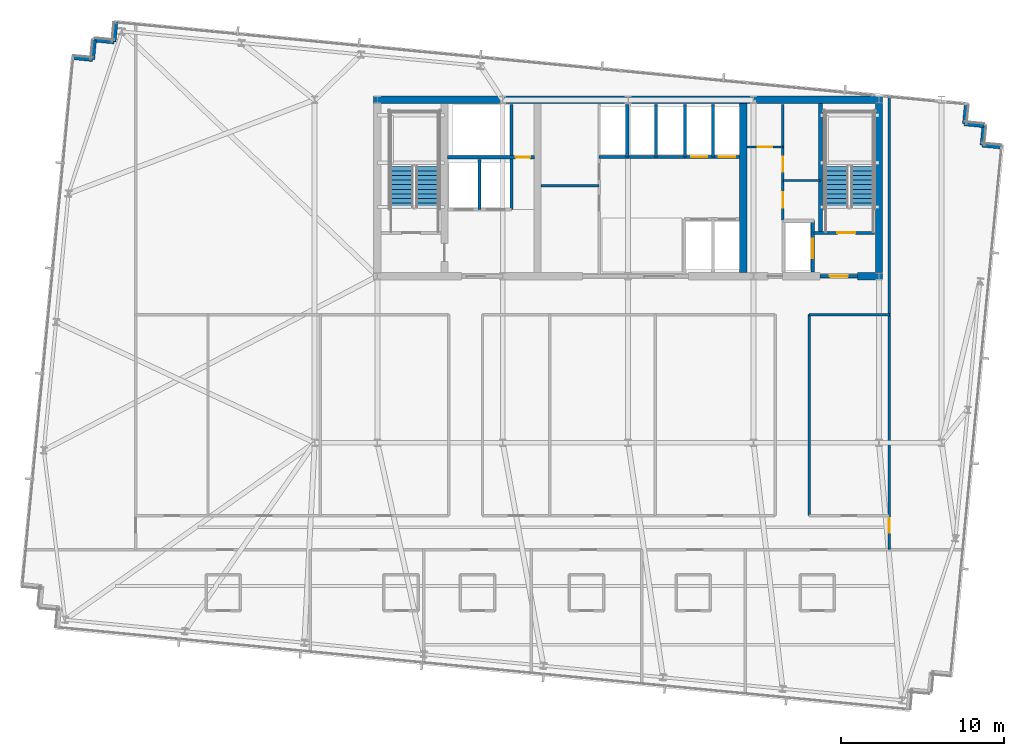
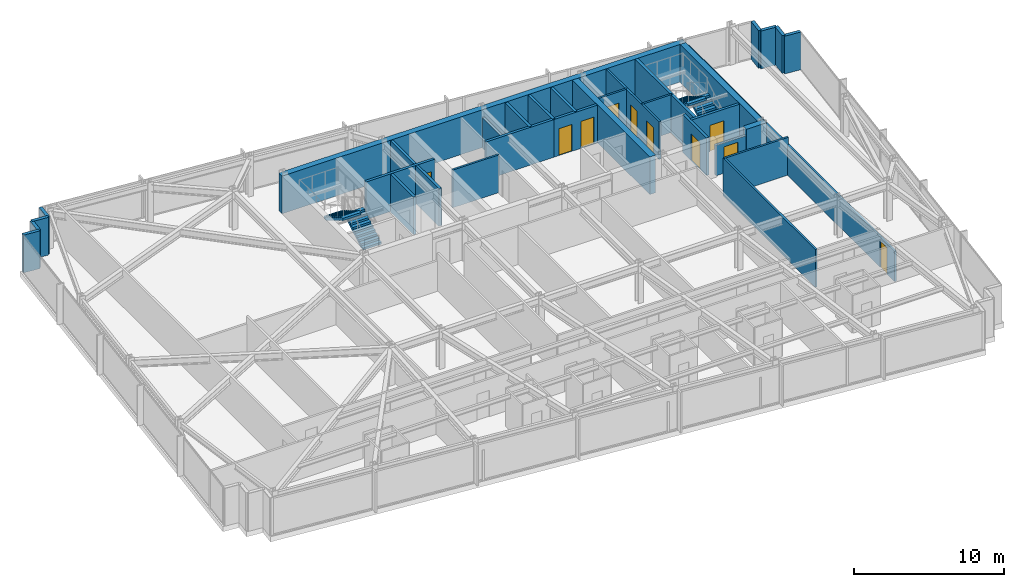
# One storey, part 31 of 37: 32 walls, 10 doors, 4 stair flights, 10 openings, 2 elements without a shape of their own.
"""IFC4 building model written with IfcOpenShell, lengths in metres."""

from ifc_helpers import new_model, si_unit, direction, frame, frame_2d, origin, place, context, subcontext, project, spatial, polyline, rectangle, outline, extrude, material, layer, layer_set, type_object, element, fill, aggregate, save


model = new_model("IFC4")

# Units and contexts
model_context = context("Model", 3, precision=1e-05, world=origin(), true_north=direction((0.0, 1.0)))
body_context = subcontext(model_context, "Body", "Model", "MODEL_VIEW")
ifc_project = project(units=[si_unit("LENGTHUNIT", "METRE"), si_unit("AREAUNIT", "SQUARE_METRE"), si_unit("VOLUMEUNIT", "CUBIC_METRE"), si_unit("PLANEANGLEUNIT", "RADIAN"), si_unit("MASSUNIT", "GRAM", prefix="KILO")], contexts=[model_context])

# Site, building, storey
site_placement = place(None, origin())
site = spatial("IfcSite", under=ifc_project, at=site_placement, CompositionType="ELEMENT")
building_placement = place(site_placement, origin())
building = spatial("IfcBuilding", under=site, at=building_placement, Name="Yelkora Congress Tower", CompositionType="ELEMENT")
storey_placement = place(building_placement, frame((0.0, 0.0, 149.0)))
storey = spatial("IfcBuildingStorey", under=building, at=storey_placement, Name="L40", CompositionType="ELEMENT", Elevation=149.0)

# Walls
ifc_material_1 = material(Name="Concrete C50/60", Category="concrete")
ifc_layer_1 = layer(ifc_material_1, 0.219970703125)
ifc_layer_set_1 = layer_set([ifc_layer_1], Name="Concrete C50/60")
wall_type_1 = type_object("IfcWallType", Name="WALL-CORE-INT-220", PredefinedType="SHEAR", material=ifc_layer_set_1)
wall_1_placement = place(storey_placement, frame((50.179931640625, 38.050048828125, 0.0), z_axis=(0.0, 0.0, 1.0), x_axis=(0.0, 1.0, 0.0)))
element("IfcWall", 1, at=wall_1_placement, inside=storey, type_object=wall_type_1, Name="L40 ST02 West Stair Shear Wall", PredefinedType="SHEAR", context=body_context, shape_type="SweptSolid", body=[
    extrude(rectangle(XDim=7.925048828125, YDim=0.219970703125, at=frame_2d((3.96240234375, 0.0))), origin(), (0.0, 0.0, 1.0), 3.080078125),
])
ifc_material_2 = material(Name="Concrete C60/75", Category="concrete")
ifc_layer_2 = layer(ifc_material_2, 0.449951171875)
ifc_layer_set_2 = layer_set([ifc_layer_2], Name="Concrete C60/75")
wall_type_2 = type_object("IfcWallType", Name="WALL-CORE-INT-450", PredefinedType="SHEAR", material=ifc_layer_set_2)
wall_2_placement = place(storey_placement, frame((22.81494140625, 46.199951171875, 0.0), z_axis=(0.0, 0.0, 1.0), x_axis=(1.0, 0.0, 0.0)))
element("IfcWall", 2, at=wall_2_placement, inside=storey, type_object=wall_type_2, Name="L40 Rear Core North Shear Wall", PredefinedType="SHEAR", context=body_context, shape_type="SweptSolid", body=[
    extrude(rectangle(XDim=31.170166015625, YDim=0.449951171875, at=frame_2d((15.5849609375, 0.0))), origin(), (0.0, 0.0, 1.0), 3.080078125),
])
wall_3_placement = place(storey_placement, frame((52.449951171875, 35.39990234375, 0.0), z_axis=(0.0, 0.0, 1.0), x_axis=(1.0, 0.0, 0.0)))
element("IfcWall", 3, at=wall_3_placement, inside=storey, type_object=wall_type_2, Name="L40 Rear Core South-East Shear Wall B", PredefinedType="SHEAR", context=body_context, shape_type="SweptSolid", body=[
    extrude(rectangle(XDim=1.53515625, YDim=0.449951171875, at=frame_2d((0.767578125, 0.0))), origin(), (0.0, 0.0, 1.0), 3.080078125),
])
for number, where, z_axis, x_axis, name in (
    (4, (45.449951171875, 35.625, 0.0), (0.0, 0.0, 1.0), (0.0, 1.0, 0.0), "L40 Rear Core Cross Shear Wall C3"),
    (5, (53.760009765625, 35.625, 0.0), (0.0, 0.0, 1.0), (0.0, 1.0, 0.0), "L40 Rear Core Cross Shear Wall E"),
):
    element("IfcWall", number, at=place(storey_placement, frame(where, z_axis=z_axis, x_axis=x_axis)), inside=storey, type_object=wall_type_2, Name=name, PredefinedType="SHEAR", context=body_context, shape_type="SweptSolid", body=[
        extrude(rectangle(XDim=10.35009765625, YDim=0.449951171875, at=frame_2d((5.175048828125, 0.0))), origin(), (0.0, 0.0, 1.0), 3.080078125),
    ])
ifc_material_3 = material(Name="Concrete C40/50", Category="concrete")
ifc_layer_3 = layer(ifc_material_3, 0.239990234375)
ifc_layer_set_3 = layer_set([ifc_layer_3], Name="Concrete C40/50")
wall_type_3 = type_object("IfcWallType", Name="WALL-EXT-LIMESTONE-240", PredefinedType="SOLIDWALL", material=ifc_layer_set_3)
wall_4_placement = place(storey_placement, frame((4.41064453125, 48.778564453125, 0.0), z_axis=(0.0, 0.0, 1.0), x_axis=(0.995397091755, -0.095836473879, 0.0)))
element("IfcWall", 6, at=wall_4_placement, inside=storey, type_object=wall_type_3, Name="L40 Serrated Corner Limestone Pier 6", PredefinedType="SOLIDWALL", context=body_context, shape_type="SweptSolid", body=[
    extrude(rectangle(XDim=1.199951171875, YDim=0.239990234375, at=frame_2d((0.60009765625, 0.0))), origin(), (0.0, 0.0, 1.0), 3.080078125),
])
wall_5_placement = place(storey_placement, frame((5.60498046875, 48.66357421875, 0.0), z_axis=(0.0, 0.0, 1.0), x_axis=(0.096018626938, 0.995379537303, 0.0)))
element("IfcWall", 7, at=wall_5_placement, inside=storey, type_object=wall_type_3, Name="L40 Serrated Corner Limestone Pier 7", PredefinedType="SOLIDWALL", context=body_context, shape_type="SweptSolid", body=[
    extrude(rectangle(XDim=1.2001953125, YDim=0.239990234375, at=frame_2d((0.60009765625, 0.0))), origin(), (0.0, 0.0, 1.0), 3.080078125),
])
for number, where, z_axis, x_axis, name in (
    (8, (5.72021484375, 49.858154296875, 0.0), (0.0, 0.0, 1.0), (0.995397091755, -0.095836473879, 0.0), "L40 Serrated Corner Limestone Pier 8"),
    (9, (6.91455078125, 49.7431640625, 0.0), (0.0, 0.0, 1.0), (0.095836473879, 0.995397091755, 0.0), "L40 Serrated Corner Limestone Pier 9"),
):
    element("IfcWall", number, at=place(storey_placement, frame(where, z_axis=z_axis, x_axis=x_axis)), inside=storey, type_object=wall_type_3, Name=name, PredefinedType="SOLIDWALL", context=body_context, shape_type="SweptSolid", body=[
        extrude(rectangle(XDim=1.199951171875, YDim=0.239990234375, at=frame_2d((0.60009765625, 0.0))), origin(), (0.0, 0.0, 1.0), 3.080078125),
    ])
for number, where, z_axis, x_axis, name in (
    (10, (59.108642578125, 45.923095703125, 0.0), (0.0, 0.0, 1.0), (-0.095817067274, -0.995398960025, 0.0), "L40 Serrated Corner Limestone Pier 11"),
    (11, (58.99365234375, 44.728515625, 0.0), (0.0, 0.0, 1.0), (0.995398960025, -0.095817067274, 0.0), "L40 Serrated Corner Limestone Pier 12"),
    (12, (60.188232421875, 44.613525390625, 0.0), (0.0, 0.0, 1.0), (-0.096018626938, -0.995379537303, 0.0), "L40 Serrated Corner Limestone Pier 13"),
    (13, (60.072998046875, 43.4189453125, 0.0), (0.0, 0.0, 1.0), (0.995398960025, -0.095817067274, 0.0), "L40 Serrated Corner Limestone Pier 14"),
):
    element("IfcWall", number, at=place(storey_placement, frame(where, z_axis=z_axis, x_axis=x_axis)), inside=storey, type_object=wall_type_3, Name=name, PredefinedType="SOLIDWALL", context=body_context, shape_type="SweptSolid", body=[
        extrude(rectangle(XDim=1.2001953125, YDim=0.239990234375, at=frame_2d((0.60009765625, 0.0))), origin(), (0.0, 0.0, 1.0), 3.080078125),
    ])

# Wall, opening, door
ifc_material_4 = material(Name="Acoustic metal-stud gypsum partition", Category="gypsum")
ifc_layer_4 = layer(ifc_material_4, 0.14990234375)
ifc_layer_set_4 = layer_set([ifc_layer_4], Name="Acoustic metal-stud gypsum partition")
wall_type_4 = type_object("IfcWallType", Name="WALL-INT-150-NR", PredefinedType="PARTITIONING", material=ifc_layer_set_4)
wall_6_placement = place(storey_placement, frame((45.679931640625, 43.31005859375, 0.0), z_axis=(0.0, 0.0, 1.0), x_axis=(1.0, 0.0, 0.0)))
wall_6 = element("IfcWall", 14, at=wall_6_placement, inside=storey, type_object=wall_type_4, Name="L40 Partition Wall 24", PredefinedType="PARTITIONING", context=body_context, shape_type="SweptSolid", body=[
    extrude(rectangle(XDim=2.199951171875, YDim=0.14990234375, at=frame_2d((1.10009765625, 0.0))), origin(), (0.0, 0.0, 1.0), 3.080078125),
])
opening_1_placement = place(wall_6_placement, frame((0.64990234375, 0.0, 0.0)))
opening_1 = element("IfcOpeningElement", 15, at=opening_1_placement, cuts=wall_6, Name="Opening DR-090N", PredefinedType="OPENING", context=body_context, shape_type="SweptSolid", body=[
    extrude(rectangle(XDim=0.89990234375, YDim=2.14990234375, at=frame_2d((0.449951171875, 1.074951171875))), frame((0.0, 0.0849609375, 0.0), z_axis=(0.0, -1.0, 0.0), x_axis=(1.0, 0.0, 0.0)), (0.0, 0.0, 1.0), 0.169921875),
])
ifc_material_5 = material(Name="Moisture-resistant laminate door leaf", Category="wood")
door_type_1 = type_object("IfcDoorType", Name="DOOR-INT-900", OperationType="NOTDEFINED", PredefinedType="DOOR", material=ifc_material_5)
door_1_placement = place(opening_1_placement, origin())
door_1 = element("IfcDoor", 16, at=door_1_placement, inside=storey, type_object=door_type_1, Name="L40 Male WC Door", OperationType="SINGLE_SWING_RIGHT", OverallHeight=2.14990234375, OverallWidth=0.89990234375, PredefinedType="DOOR", context=body_context, shape_type="SweptSolid", body=[
    extrude(rectangle(XDim=0.89990234375, YDim=2.14990234375, at=frame_2d((0.449951171875, 1.074951171875))), frame((0.0, 0.02490234375, 0.0), z_axis=(0.0, -1.0, 0.0), x_axis=(1.0, 0.0, 0.0)), (0.0, 0.0, 1.0), 0.050048828125),
])
fill(opening_1, door_1)

# Wall
wall_7_placement = place(storey_placement, frame((47.8798828125, 41.260009765625, 0.0), z_axis=(0.0, 0.0, 1.0), x_axis=(1.0, 0.0, 0.0)))
element("IfcWall", 17, at=wall_7_placement, inside=storey, type_object=wall_type_4, Name="L40 Partition Wall 25", PredefinedType="PARTITIONING", context=body_context, shape_type="SweptSolid", body=[
    extrude(rectangle(XDim=2.300048828125, YDim=0.14990234375, at=frame_2d((1.14990234375, 0.0))), origin(), (0.0, 0.0, 1.0), 3.080078125),
])

# Wall, openings, doors
wall_8_placement = place(storey_placement, frame((47.8798828125, 38.85009765625, 0.0), z_axis=(0.0, 0.0, 1.0), x_axis=(0.0, 1.0, 0.0)))
wall_8 = element("IfcWall", 18, at=wall_8_placement, inside=storey, type_object=wall_type_4, Name="L40 Partition Wall 26", PredefinedType="PARTITIONING", context=body_context, shape_type="SweptSolid", body=[
    extrude(rectangle(XDim=7.06982421875, YDim=0.14990234375, at=frame_2d((3.534912109375, 0.0))), origin(), (0.0, 0.0, 1.0), 3.080078125),
])
opening_2_placement = place(wall_8_placement, frame((0.75, 0.0, 0.0)))
opening_2 = element("IfcOpeningElement", 19, at=opening_2_placement, cuts=wall_8, Name="Opening DR-095N", PredefinedType="OPENING", context=body_context, shape_type="SweptSolid", body=[
    extrude(rectangle(XDim=0.949951171875, YDim=2.14990234375, at=frame_2d((0.47509765625, 1.074951171875))), frame((0.0, 0.0849609375, 0.0), z_axis=(0.0, -1.0, 0.0), x_axis=(1.0, 0.0, 0.0)), (0.0, 0.0, 1.0), 0.169921875),
])
opening_3_placement = place(wall_8_placement, frame((2.949951171875, 0.0, 0.0)))
opening_3 = element("IfcOpeningElement", 20, at=opening_3_placement, cuts=wall_8, Name="Opening DR-090N", PredefinedType="OPENING", context=body_context, shape_type="SweptSolid", body=[
    extrude(rectangle(XDim=0.89990234375, YDim=2.14990234375, at=frame_2d((0.449951171875, 1.074951171875))), frame((0.0, 0.0849609375, 0.0), z_axis=(0.0, -1.0, 0.0), x_axis=(1.0, 0.0, 0.0)), (0.0, 0.0, 1.0), 0.169921875),
])
door_2_placement = place(opening_3_placement, origin())
door_2 = element("IfcDoor", 21, at=door_2_placement, inside=storey, type_object=door_type_1, Name="L40 Female WC Door", OperationType="SINGLE_SWING_RIGHT", OverallHeight=2.14990234375, OverallWidth=0.89990234375, PredefinedType="DOOR", context=body_context, shape_type="SweptSolid", body=[
    extrude(rectangle(XDim=0.89990234375, YDim=2.14990234375, at=frame_2d((0.449951171875, 1.074951171875))), frame((0.0, 0.02490234375, 0.0), z_axis=(0.0, -1.0, 0.0), x_axis=(1.0, 0.0, 0.0)), (0.0, 0.0, 1.0), 0.050048828125),
])
fill(opening_3, door_2)
ifc_material_6 = material(Name="Acoustic laminated timber office door", Category="wood")
door_type_2 = type_object("IfcDoorType", Name="DOOR-INT-950", OperationType="NOTDEFINED", PredefinedType="DOOR", material=ifc_material_6)
door_3_placement = place(opening_2_placement, origin())
door_3 = element("IfcDoor", 22, at=door_3_placement, inside=storey, type_object=door_type_2, Name="L40 Accessible WC Door", OperationType="SINGLE_SWING_LEFT", OverallHeight=2.14990234375, OverallWidth=0.949951171875, PredefinedType="DOOR", context=body_context, shape_type="SweptSolid", body=[
    extrude(rectangle(XDim=0.949951171875, YDim=2.14990234375, at=frame_2d((0.47509765625, 1.074951171875))), frame((0.0, 0.02490234375, 0.0), z_axis=(0.0, -1.0, 0.0), x_axis=(1.0, 0.0, 0.0)), (0.0, 0.0, 1.0), 0.050048828125),
])
fill(opening_2, door_3)

# Wall, opening, door
wall_9_placement = place(storey_placement, frame((54.39990234375, 18.64990234375, 0.0), z_axis=(0.0, 0.0, 1.0), x_axis=(0.0, 1.0, 0.0)))
wall_9 = element("IfcWall", 23, at=wall_9_placement, inside=storey, type_object=wall_type_4, Name="L40 Partition Wall 58", PredefinedType="PARTITIONING", context=body_context, shape_type="SweptSolid", body=[
    extrude(rectangle(XDim=27.78662109375, YDim=0.14990234375, at=frame_2d((13.893310546875, 0.0))), origin(), (0.0, 0.0, 1.0), 2.47509765625),
])
opening_4_placement = place(wall_9_placement, frame((1.030029296875, 0.0, 0.0)))
opening_4 = element("IfcOpeningElement", 24, at=opening_4_placement, cuts=wall_9, Name="Opening DR-090N", PredefinedType="OPENING", context=body_context, shape_type="SweptSolid", body=[
    extrude(rectangle(XDim=0.89990234375, YDim=2.14990234375, at=frame_2d((0.449951171875, 1.074951171875))), frame((0.0, 0.0849609375, 0.0), z_axis=(0.0, -1.0, 0.0), x_axis=(1.0, 0.0, 0.0)), (0.0, 0.0, 1.0), 0.169921875),
])
door_4_placement = place(opening_4_placement, origin())
door_4 = element("IfcDoor", 25, at=door_4_placement, inside=storey, type_object=door_type_1, Name="L40 E Wing Door", OperationType="SINGLE_SWING_RIGHT", OverallHeight=2.14990234375, OverallWidth=0.89990234375, PredefinedType="DOOR", context=body_context, shape_type="SweptSolid", body=[
    extrude(rectangle(XDim=0.89990234375, YDim=2.14990234375, at=frame_2d((0.449951171875, 1.074951171875))), frame((0.0, 0.02490234375, 0.0), z_axis=(0.0, -1.0, 0.0), x_axis=(1.0, 0.0, 0.0)), (0.0, 0.0, 1.0), 0.050048828125),
])
fill(opening_4, door_4)

# Walls
wall_10_placement = place(storey_placement, frame((49.47998046875, 20.72998046875, 0.0), z_axis=(0.0, 0.0, 1.0), x_axis=(0.0, 1.0, 0.0)))
element("IfcWall", 26, at=wall_10_placement, inside=storey, type_object=wall_type_4, Name="L40 Partition Wall 62", PredefinedType="PARTITIONING", context=body_context, shape_type="SweptSolid", body=[
    extrude(rectangle(XDim=12.320068359375, YDim=0.14990234375, at=frame_2d((6.16015625, 0.0))), origin(), (0.0, 0.0, 1.0), 3.080078125),
])
wall_11_placement = place(storey_placement, frame((49.47998046875, 33.050048828125, 0.0), z_axis=(0.0, 0.0, 1.0), x_axis=(1.0, 0.0, 0.0)))
element("IfcWall", 27, at=wall_11_placement, inside=storey, type_object=wall_type_4, Name="L40 Partition Wall 65", PredefinedType="PARTITIONING", context=body_context, shape_type="SweptSolid", body=[
    extrude(rectangle(XDim=4.919921875, YDim=0.14990234375, at=frame_2d((2.4599609375, 0.0))), origin(), (0.0, 0.0, 1.0), 3.080078125),
])
ifc_material_7 = material(Name="Twin-stud fire-rated gypsum partition", Category="gypsum")
ifc_layer_5 = layer(ifc_material_7, 0.14990234375)
ifc_layer_set_5 = layer_set([ifc_layer_5], Name="Twin-stud fire-rated gypsum partition")
wall_type_5 = type_object("IfcWallType", Name="WALL-INT-150-R60", PredefinedType="PARTITIONING", material=ifc_layer_set_5)
wall_12_placement = place(storey_placement, frame((33.050048828125, 40.949951171875, 0.0), z_axis=(0.0, 0.0, 1.0), x_axis=(1.0, 0.0, 0.0)))
element("IfcWall", 28, at=wall_12_placement, inside=storey, type_object=wall_type_5, Name="L40 Partition Wall 11", PredefinedType="PARTITIONING", context=body_context, shape_type="SweptSolid", body=[
    extrude(rectangle(XDim=3.570068359375, YDim=0.14990234375, at=frame_2d((1.78515625, 0.0))), origin(), (0.0, 0.0, 1.0), 3.080078125),
])
ifc_material_8 = material(Name="Autoclaved aerated concrete blockwork", Category="masonry")
ifc_layer_6 = layer(ifc_material_8, 0.199951171875)
ifc_layer_set_6 = layer_set([ifc_layer_6], Name="Autoclaved aerated concrete blockwork")
wall_type_6 = type_object("IfcWallType", Name="WALL-INT-200-R120", PredefinedType="PARTITIONING", material=ifc_layer_set_6)
wall_13_placement = place(storey_placement, frame((29.300048828125, 39.47998046875, 0.0), z_axis=(0.0, 0.0, 1.0), x_axis=(0.0, 1.0, 0.0)))
element("IfcWall", 29, at=wall_13_placement, inside=storey, type_object=wall_type_6, Name="L40 Partition Wall 4", PredefinedType="PARTITIONING", context=body_context, shape_type="SweptSolid", body=[
    extrude(rectangle(XDim=3.070068359375, YDim=0.199951171875, at=frame_2d((1.53515625, 0.0))), origin(), (0.0, 0.0, 1.0), 3.080078125),
])
wall_14_placement = place(storey_placement, frame((31.260009765625, 39.47998046875, 0.0), z_axis=(0.0, 0.0, 1.0), x_axis=(0.0, 1.0, 0.0)))
element("IfcWall", 30, at=wall_14_placement, inside=storey, type_object=wall_type_6, Name="L40 Partition Wall 5", PredefinedType="PARTITIONING", context=body_context, shape_type="SweptSolid", body=[
    extrude(rectangle(XDim=6.43994140625, YDim=0.199951171875, at=frame_2d((3.219970703125, 0.0))), origin(), (0.0, 0.0, 1.0), 3.080078125),
])

# Wall, opening, door
wall_15_placement = place(storey_placement, frame((27.320068359375, 42.679931640625, 0.0), z_axis=(0.0, 0.0, 1.0), x_axis=(1.0, 0.0, 0.0)))
wall_15 = element("IfcWall", 31, at=wall_15_placement, inside=storey, type_object=wall_type_6, Name="L40 Smoke Riser South Wall", PredefinedType="PARTITIONING", context=body_context, shape_type="SweptSolid", body=[
    extrude(rectangle(XDim=5.329833984375, YDim=0.199951171875, at=frame_2d((2.6650390625, 0.0))), origin(), (0.0, 0.0, 1.0), 3.080078125),
])
opening_5_placement = place(wall_15_placement, frame((4.179931640625, 0.0, 0.0)))
opening_5 = element("IfcOpeningElement", 32, at=opening_5_placement, cuts=wall_15, Name="Opening DR-090F6", PredefinedType="OPENING", context=body_context, shape_type="SweptSolid", body=[
    extrude(rectangle(XDim=0.89990234375, YDim=2.14990234375, at=frame_2d((0.449951171875, 1.074951171875))), frame((0.0, 0.10986328125, 0.0), z_axis=(0.0, -1.0, 0.0), x_axis=(1.0, 0.0, 0.0)), (0.0, 0.0, 1.0), 0.219970703125),
])
ifc_material_9 = material(Name="Painted steel riser fire door leaf", Category="steel")
door_type_3 = type_object("IfcDoorType", Name="DOOR-FD60-900", OperationType="NOTDEFINED", PredefinedType="DOOR", material=ifc_material_9)
door_5_placement = place(opening_5_placement, origin())
door_5 = element("IfcDoor", 33, at=door_5_placement, inside=storey, type_object=door_type_3, Name="L40 Riser Access Door", OperationType="SINGLE_SWING_LEFT", OverallHeight=2.14990234375, OverallWidth=0.89990234375, PredefinedType="DOOR", context=body_context, shape_type="SweptSolid", body=[
    extrude(rectangle(XDim=0.89990234375, YDim=2.14990234375, at=frame_2d((0.449951171875, 1.074951171875))), frame((0.0, 0.02490234375, 0.0), z_axis=(0.0, -1.0, 0.0), x_axis=(1.0, 0.0, 0.0)), (0.0, 0.0, 1.0), 0.050048828125),
])
fill(opening_5, door_5)

# Walls
wall_16_placement = place(storey_placement, frame((36.60009765625, 42.699951171875, 0.0), z_axis=(0.0, 0.0, 1.0), x_axis=(1.0, 0.0, 0.0)))
element("IfcWall", 34, at=wall_16_placement, inside=storey, type_object=wall_type_6, Name="L40 Partition Wall 8", PredefinedType="PARTITIONING", context=body_context, shape_type="SweptSolid", body=[
    extrude(rectangle(XDim=5.25, YDim=0.199951171875, at=frame_2d((2.625, 0.0))), origin(), (0.0, 0.0, 1.0), 3.080078125),
])
wall_17_placement = place(storey_placement, frame((38.35009765625, 42.699951171875, 0.0), z_axis=(0.0, 0.0, 1.0), x_axis=(0.0, 1.0, 0.0)))
element("IfcWall", 35, at=wall_17_placement, inside=storey, type_object=wall_type_6, Name="L40 Partition Wall 9", PredefinedType="PARTITIONING", context=body_context, shape_type="SweptSolid", body=[
    extrude(rectangle(XDim=3.219970703125, YDim=0.199951171875, at=frame_2d((1.60986328125, 0.0))), origin(), (0.0, 0.0, 1.0), 2.47509765625),
])
wall_18_placement = place(storey_placement, frame((40.10009765625, 42.699951171875, 0.0), z_axis=(0.0, 0.0, 1.0), x_axis=(0.0, 1.0, 0.0)))
element("IfcWall", 36, at=wall_18_placement, inside=storey, type_object=wall_type_6, Name="L40 Partition Wall 10", PredefinedType="PARTITIONING", context=body_context, shape_type="SweptSolid", body=[
    extrude(rectangle(XDim=3.219970703125, YDim=0.199951171875, at=frame_2d((1.60986328125, 0.0))), origin(), (0.0, 0.0, 1.0), 3.080078125),
])

# Wall, openings, doors
wall_19_placement = place(storey_placement, frame((41.85009765625, 42.699951171875, 0.0), z_axis=(0.0, 0.0, 1.0), x_axis=(1.0, 0.0, 0.0)))
wall_19 = element("IfcWall", 37, at=wall_19_placement, inside=storey, type_object=wall_type_6, Name="L40 Partition Wall 14", PredefinedType="PARTITIONING", context=body_context, shape_type="SweptSolid", body=[
    extrude(rectangle(XDim=3.369873046875, YDim=0.199951171875, at=frame_2d((1.68505859375, 0.0))), origin(), (0.0, 0.0, 1.0), 3.080078125),
])
opening_6_placement = place(wall_19_placement, frame((0.39990234375, 0.0, 0.0)))
opening_6 = element("IfcOpeningElement", 38, at=opening_6_placement, cuts=wall_19, Name="Opening LD-PS10", PredefinedType="OPENING", context=body_context, shape_type="SweptSolid", body=[
    extrude(rectangle(XDim=1.0, YDim=2.199951171875, at=frame_2d((0.5, 1.10009765625))), frame((0.0, 0.10986328125, 0.0), z_axis=(0.0, -1.0, 0.0), x_axis=(1.0, 0.0, 0.0)), (0.0, 0.0, 1.0), 0.219970703125),
])
opening_7_placement = place(wall_19_placement, frame((2.10009765625, 0.0, 0.0)))
opening_7 = element("IfcOpeningElement", 39, at=opening_7_placement, cuts=wall_19, Name="Opening LD-PS10", PredefinedType="OPENING", context=body_context, shape_type="SweptSolid", body=[
    extrude(rectangle(XDim=1.0, YDim=2.199951171875, at=frame_2d((0.5, 1.10009765625))), frame((0.0, 0.10986328125, 0.0), z_axis=(0.0, -1.0, 0.0), x_axis=(1.0, 0.0, 0.0)), (0.0, 0.0, 1.0), 0.219970703125),
])
ifc_material_10 = material(Name="Champagne stainless steel landing door", Category="steel")
door_type_4 = type_object("IfcDoorType", Name="DOOR-LIFT-PAS-1000", OperationType="DOUBLE_DOOR_SLIDING", PredefinedType="DOOR", material=ifc_material_10)
door_6_placement = place(opening_6_placement, origin())
door_6 = element("IfcDoor", 40, at=door_6_placement, inside=storey, type_object=door_type_4, Name="Lift Landing Door LF-P7 L40", OperationType="DOUBLE_DOOR_SLIDING", OverallHeight=2.199951171875, OverallWidth=1.0, PredefinedType="DOOR", context=body_context, shape_type="SweptSolid", body=[
    extrude(rectangle(XDim=1.0, YDim=2.199951171875, at=frame_2d((0.5, 1.10009765625))), frame((0.0, 0.02490234375, 0.0), z_axis=(0.0, -1.0, 0.0), x_axis=(1.0, 0.0, 0.0)), (0.0, 0.0, 1.0), 0.050048828125),
])
fill(opening_6, door_6)
door_7_placement = place(opening_7_placement, origin())
door_7 = element("IfcDoor", 41, at=door_7_placement, inside=storey, type_object=door_type_4, Name="Lift Landing Door LF-P8 L40", OperationType="DOUBLE_DOOR_SLIDING", OverallHeight=2.199951171875, OverallWidth=1.0, PredefinedType="DOOR", context=body_context, shape_type="SweptSolid", body=[
    extrude(rectangle(XDim=1.0, YDim=2.199951171875, at=frame_2d((0.5, 1.10009765625))), frame((0.0, 0.02490234375, 0.0), z_axis=(0.0, -1.0, 0.0), x_axis=(1.0, 0.0, 0.0)), (0.0, 0.0, 1.0), 0.050048828125),
])
fill(opening_7, door_7)

# Walls
for number, where, z_axis, x_axis, name in (
    (42, (43.60009765625, 42.699951171875, 0.0), (0.0, 0.0, 1.0), (0.0, 1.0, 0.0), "L40 Partition Wall 16"),
    (43, (41.8798828125, 42.699951171875, 0.0), (0.0, 0.0, 1.0), (0.0, 1.0, 0.0), "L40 Partition Wall 18"),
):
    element("IfcWall", number, at=place(storey_placement, frame(where, z_axis=z_axis, x_axis=x_axis)), inside=storey, type_object=wall_type_6, Name=name, PredefinedType="PARTITIONING", context=body_context, shape_type="SweptSolid", body=[
        extrude(rectangle(XDim=3.219970703125, YDim=0.199951171875, at=frame_2d((1.60986328125, 0.0))), origin(), (0.0, 0.0, 1.0), 3.080078125),
    ])

# Wall, opening, door
wall_20_placement = place(storey_placement, frame((49.780029296875, 38.050048828125, 0.0), z_axis=(0.0, 0.0, 1.0), x_axis=(1.0, 0.0, 0.0)))
wall_20 = element("IfcWall", 44, at=wall_20_placement, inside=storey, type_object=wall_type_6, Name="L40 Stair ST-02 Enclosure Wall", PredefinedType="PARTITIONING", context=body_context, shape_type="SweptSolid", body=[
    extrude(rectangle(XDim=3.719970703125, YDim=0.199951171875, at=frame_2d((1.85986328125, 0.0))), origin(), (0.0, 0.0, 1.0), 3.080078125),
])
opening_8_placement = place(wall_20_placement, frame((1.436279296875, 0.0, 0.0)))
opening_8 = element("IfcOpeningElement", 45, at=opening_8_placement, cuts=wall_20, Name="Opening DR-110F9", PredefinedType="OPENING", context=body_context, shape_type="SweptSolid", body=[
    extrude(rectangle(XDim=1.10009765625, YDim=2.14990234375, at=frame_2d((0.550048828125, 1.074951171875))), frame((0.0, 0.10986328125, 0.0), z_axis=(0.0, -1.0, 0.0), x_axis=(1.0, 0.0, 0.0)), (0.0, 0.0, 1.0), 0.219970703125),
])
ifc_material_11 = material(Name="Galvanised steel fire door leaf", Category="steel")
door_type_5 = type_object("IfcDoorType", Name="DOOR-FD90-1100", OperationType="NOTDEFINED", PredefinedType="DOOR", material=ifc_material_11)
door_8_placement = place(opening_8_placement, origin())
door_8 = element("IfcDoor", 46, at=door_8_placement, inside=storey, type_object=door_type_5, Name="L40 Stair ST-02 Entry Door", OperationType="SINGLE_SWING_LEFT", OverallHeight=2.14990234375, OverallWidth=1.10009765625, PredefinedType="DOOR", context=body_context, shape_type="SweptSolid", body=[
    extrude(rectangle(XDim=1.10009765625, YDim=2.14990234375, at=frame_2d((0.550048828125, 1.074951171875))), frame((0.0, 0.02490234375, 0.0), z_axis=(0.0, -1.0, 0.0), x_axis=(1.0, 0.0, 0.0)), (0.0, 0.0, 1.0), 0.050048828125),
])
fill(opening_8, door_8)

wall_21_placement = place(storey_placement, frame((50.14990234375, 35.39990234375, 0.0), z_axis=(0.0, 0.0, 1.0), x_axis=(1.0, 0.0, 0.0)))
wall_21 = element("IfcWall", 47, at=wall_21_placement, inside=storey, type_object=wall_type_6, Name="L40 Partition Wall 20", PredefinedType="PARTITIONING", context=body_context, shape_type="SweptSolid", body=[
    extrude(rectangle(XDim=2.300048828125, YDim=0.199951171875, at=frame_2d((1.14990234375, 0.0))), origin(), (0.0, 0.0, 1.0), 2.47509765625),
])
opening_9_placement = place(wall_21_placement, frame((0.60009765625, 0.0, 0.0)))
opening_9 = element("IfcOpeningElement", 48, at=opening_9_placement, cuts=wall_21, Name="Opening DR-110F9", PredefinedType="OPENING", context=body_context, shape_type="SweptSolid", body=[
    extrude(rectangle(XDim=1.10009765625, YDim=2.14990234375, at=frame_2d((0.550048828125, 1.074951171875))), frame((0.0, 0.10986328125, 0.0), z_axis=(0.0, -1.0, 0.0), x_axis=(1.0, 0.0, 0.0)), (0.0, 0.0, 1.0), 0.219970703125),
])
door_9_placement = place(opening_9_placement, origin())
door_9 = element("IfcDoor", 49, at=door_9_placement, inside=storey, type_object=door_type_5, Name="L40 East Stair Lobby Door", OperationType="SINGLE_SWING_RIGHT", OverallHeight=2.14990234375, OverallWidth=1.10009765625, PredefinedType="DOOR", context=body_context, shape_type="SweptSolid", body=[
    extrude(rectangle(XDim=1.10009765625, YDim=2.14990234375, at=frame_2d((0.550048828125, 1.074951171875))), frame((0.0, 0.02490234375, 0.0), z_axis=(0.0, -1.0, 0.0), x_axis=(1.0, 0.0, 0.0)), (0.0, 0.0, 1.0), 0.050048828125),
])
fill(opening_9, door_9)

wall_22_placement = place(storey_placement, frame((49.699951171875, 35.64990234375, 0.0), z_axis=(0.0, 0.0, 1.0), x_axis=(0.0, 1.0, 0.0)))
wall_22 = element("IfcWall", 50, at=wall_22_placement, inside=storey, type_object=wall_type_6, Name="L40 Partition Wall 21", PredefinedType="PARTITIONING", context=body_context, shape_type="SweptSolid", body=[
    extrude(rectangle(XDim=3.150146484375, YDim=0.199951171875, at=frame_2d((1.5751953125, 0.0))), origin(), (0.0, 0.0, 1.0), 3.080078125),
])
opening_10_placement = place(wall_22_placement, frame((0.85009765625, 0.0, 0.0)))
opening_10 = element("IfcOpeningElement", 51, at=opening_10_placement, cuts=wall_22, Name="Opening LD-SV12", PredefinedType="OPENING", context=body_context, shape_type="SweptSolid", body=[
    extrude(rectangle(XDim=1.199951171875, YDim=2.199951171875, at=frame_2d((0.60009765625, 1.10009765625))), frame((0.0, 0.10986328125, 0.0), z_axis=(0.0, -1.0, 0.0), x_axis=(1.0, 0.0, 0.0)), (0.0, 0.0, 1.0), 0.219970703125),
])
ifc_material_12 = material(Name="Heavy-duty stainless steel landing door", Category="steel")
door_type_6 = type_object("IfcDoorType", Name="DOOR-LIFT-SRV-1200", OperationType="DOUBLE_DOOR_SLIDING", PredefinedType="DOOR", material=ifc_material_12)
door_10_placement = place(opening_10_placement, origin())
door_10 = element("IfcDoor", 52, at=door_10_placement, inside=storey, type_object=door_type_6, Name="Service Lift Landing Door LF-SV1 L40", OperationType="DOUBLE_DOOR_SLIDING", OverallHeight=2.199951171875, OverallWidth=1.199951171875, PredefinedType="DOOR", context=body_context, shape_type="SweptSolid", body=[
    extrude(rectangle(XDim=1.199951171875, YDim=2.199951171875, at=frame_2d((0.60009765625, 1.10009765625))), frame((0.0, 0.02490234375, 0.0), z_axis=(0.0, -1.0, 0.0), x_axis=(1.0, 0.0, 0.0)), (0.0, 0.0, 1.0), 0.050048828125),
])
fill(opening_10, door_10)

# Stair, stair flights
stair_type = type_object("IfcStairType", Name="STAIR-HT-1420-R20-165", PredefinedType="HALF_TURN_STAIR", material=ifc_material_3)
stair_1_placement = place(storey_placement, origin())
stair_1 = element("IfcStair", 53, at=stair_1_placement, inside=storey, type_object=stair_type, Name="West Core Protected Exit Stair ST-01 (L40)", PredefinedType="HALF_TURN_STAIR")
stair_flight_type = type_object("IfcStairFlightType", Name="FLIGHT-1420-N10-R165-G280", PredefinedType="STRAIGHT", material=ifc_material_3)
stair_flight_1_placement = place(storey_placement, frame((26.110107421875, 39.60009765625, 0.0), z_axis=(0.0, 0.0, 1.0), x_axis=(0.0, 1.0, 0.0)))
stair_flight_1 = element("IfcStairFlight", 54, at=stair_flight_1_placement, type_object=stair_flight_type, Name="ST-01 L40 Flight 1", NumberOfRisers=10, NumberOfTreads=9, PredefinedType="STRAIGHT", RiserHeight=0.165, TreadLength=0.28, context=body_context, shape_type="SweptSolid", body=[
    extrude(outline(polyline([(0.0, 0.0), (0.0, 0.1650390625), (0.280029296875, 0.1650390625), (0.280029296875, 0.330078125), (0.56005859375, 0.330078125), (0.56005859375, 0.4951171875), (0.840087890625, 0.4951171875), (0.840087890625, 0.659912109375), (1.1201171875, 0.659912109375), (1.1201171875, 0.824951171875), (1.39990234375, 0.824951171875), (1.39990234375, 0.989990234375), (1.679931640625, 0.989990234375), (1.679931640625, 1.155029296875), (1.9599609375, 1.155029296875), (1.9599609375, 1.320068359375), (2.239990234375, 1.320068359375), (2.239990234375, 1.485107421875), (2.52001953125, 1.485107421875), (2.52001953125, 1.64990234375), (2.52001953125, 1.29931640625), (0.31494140625, 0.0), (0.0, 0.0)])), frame((0.0, 0.7099609375, 0.0), z_axis=(0.0, -1.0, 0.0), x_axis=(1.0, 0.0, 0.0)), (0.0, 0.0, 1.0), 1.419921875),
])
stair_flight_2_placement = place(storey_placement, frame((24.530029296875, 42.1201171875, 1.64990234375), z_axis=(0.0, 0.0, 1.0), x_axis=(0.0, -1.0, 0.0)))
stair_flight_2 = element("IfcStairFlight", 55, at=stair_flight_2_placement, type_object=stair_flight_type, Name="ST-01 L40 Flight 2", NumberOfRisers=10, NumberOfTreads=9, PredefinedType="STRAIGHT", RiserHeight=0.165, TreadLength=0.28, context=body_context, shape_type="SweptSolid", body=[
    extrude(outline(polyline([(0.0, 0.0), (0.0, 0.1650390625), (0.280029296875, 0.1650390625), (0.280029296875, 0.330078125), (0.56005859375, 0.330078125), (0.56005859375, 0.4951171875), (0.840087890625, 0.4951171875), (0.840087890625, 0.659912109375), (1.1201171875, 0.659912109375), (1.1201171875, 0.824951171875), (1.39990234375, 0.824951171875), (1.39990234375, 0.989990234375), (1.679931640625, 0.989990234375), (1.679931640625, 1.155029296875), (1.9599609375, 1.155029296875), (1.9599609375, 1.320068359375), (2.239990234375, 1.320068359375), (2.239990234375, 1.485107421875), (2.52001953125, 1.485107421875), (2.52001953125, 1.64990234375), (2.52001953125, 1.29931640625), (0.31494140625, 0.0), (0.0, 0.0)])), frame((0.0, 0.7099609375, 0.0), z_axis=(0.0, -1.0, 0.0), x_axis=(1.0, 0.0, 0.0)), (0.0, 0.0, 1.0), 1.419921875),
])
aggregate(stair_1, [stair_flight_1, stair_flight_2])

stair_2_placement = place(storey_placement, origin())
stair_2 = element("IfcStair", 56, at=stair_2_placement, inside=storey, type_object=stair_type, Name="East Core Protected Exit Stair ST-02 (L40)", PredefinedType="HALF_TURN_STAIR")
stair_flight_3_placement = place(storey_placement, frame((52.75, 39.60009765625, 0.0), z_axis=(0.0, 0.0, 1.0), x_axis=(0.0, 1.0, 0.0)))
stair_flight_3 = element("IfcStairFlight", 57, at=stair_flight_3_placement, type_object=stair_flight_type, Name="ST-02 L40 Flight 1", NumberOfRisers=10, NumberOfTreads=9, PredefinedType="STRAIGHT", RiserHeight=0.165, TreadLength=0.28, context=body_context, shape_type="SweptSolid", body=[
    extrude(outline(polyline([(0.0, 0.0), (0.0, 0.1650390625), (0.280029296875, 0.1650390625), (0.280029296875, 0.330078125), (0.56005859375, 0.330078125), (0.56005859375, 0.4951171875), (0.840087890625, 0.4951171875), (0.840087890625, 0.659912109375), (1.1201171875, 0.659912109375), (1.1201171875, 0.824951171875), (1.39990234375, 0.824951171875), (1.39990234375, 0.989990234375), (1.679931640625, 0.989990234375), (1.679931640625, 1.155029296875), (1.9599609375, 1.155029296875), (1.9599609375, 1.320068359375), (2.239990234375, 1.320068359375), (2.239990234375, 1.485107421875), (2.52001953125, 1.485107421875), (2.52001953125, 1.64990234375), (2.52001953125, 1.29931640625), (0.31494140625, 0.0), (0.0, 0.0)])), frame((0.0, 0.7099609375, 0.0), z_axis=(0.0, -1.0, 0.0), x_axis=(1.0, 0.0, 0.0)), (0.0, 0.0, 1.0), 1.419921875),
])
stair_flight_4_placement = place(storey_placement, frame((51.169921875, 42.1201171875, 1.64990234375), z_axis=(0.0, 0.0, 1.0), x_axis=(0.0, -1.0, 0.0)))
stair_flight_4 = element("IfcStairFlight", 58, at=stair_flight_4_placement, type_object=stair_flight_type, Name="ST-02 L40 Flight 2", NumberOfRisers=10, NumberOfTreads=9, PredefinedType="STRAIGHT", RiserHeight=0.165, TreadLength=0.28, context=body_context, shape_type="SweptSolid", body=[
    extrude(outline(polyline([(0.0, 0.0), (0.0, 0.1650390625), (0.280029296875, 0.1650390625), (0.280029296875, 0.330078125), (0.56005859375, 0.330078125), (0.56005859375, 0.4951171875), (0.840087890625, 0.4951171875), (0.840087890625, 0.659912109375), (1.1201171875, 0.659912109375), (1.1201171875, 0.824951171875), (1.39990234375, 0.824951171875), (1.39990234375, 0.989990234375), (1.679931640625, 0.989990234375), (1.679931640625, 1.155029296875), (1.9599609375, 1.155029296875), (1.9599609375, 1.320068359375), (2.239990234375, 1.320068359375), (2.239990234375, 1.485107421875), (2.52001953125, 1.485107421875), (2.52001953125, 1.64990234375), (2.52001953125, 1.29931640625), (0.31494140625, 0.0), (0.0, 0.0)])), frame((0.0, 0.7099609375, 0.0), z_axis=(0.0, -1.0, 0.0), x_axis=(1.0, 0.0, 0.0)), (0.0, 0.0, 1.0), 1.419921875),
])
aggregate(stair_2, [stair_flight_3, stair_flight_4])

save(model, "model.ifc")
